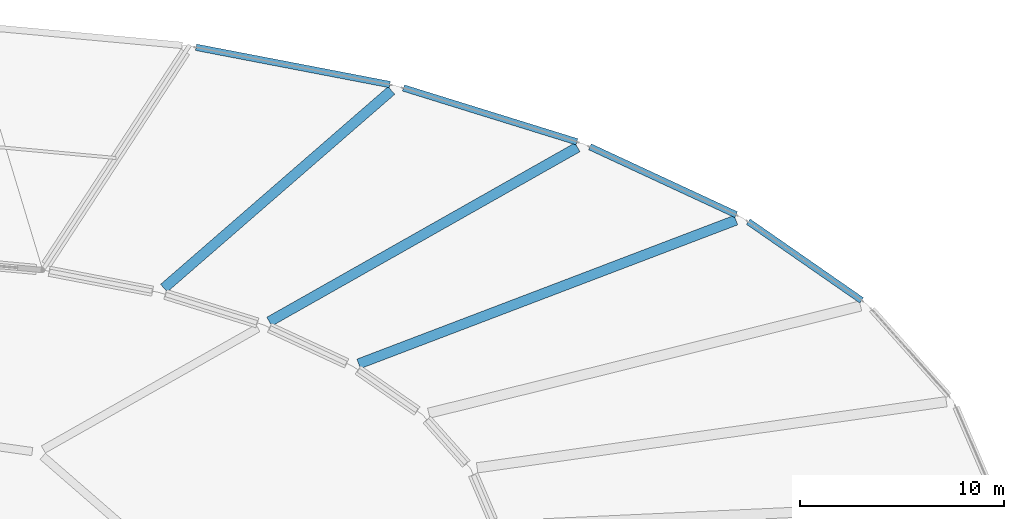
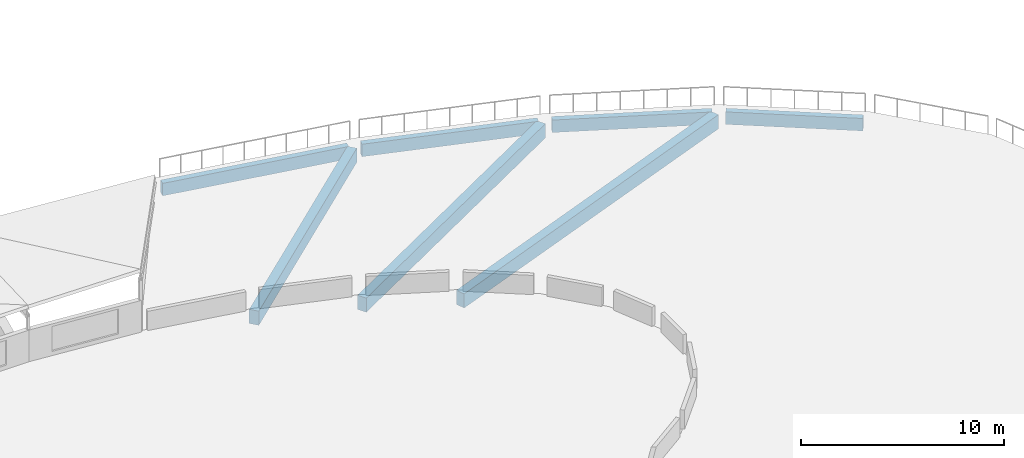
# One storey, part 72 of 142: 7 beams.
"""IFC4 building model written with IfcOpenShell, lengths in metres."""

from ifc_helpers import new_model, si_unit, direction, frame, origin, origin_2d, place, context, subcontext, project, spatial, rectangle, extrude, material, material_profile, profile_set, type_object, element, save


model = new_model("IFC4")

# Units and contexts
model_context = context("Model", 3, precision=1e-05, world=origin(), true_north=direction((0.0, 1.0)))
body_context = subcontext(model_context, "Body", "Model", "MODEL_VIEW")
ifc_project = project(units=[si_unit("LENGTHUNIT", "METRE"), si_unit("AREAUNIT", "SQUARE_METRE"), si_unit("VOLUMEUNIT", "CUBIC_METRE"), si_unit("PLANEANGLEUNIT", "RADIAN"), si_unit("MASSUNIT", "GRAM", prefix="KILO")], contexts=[model_context])

# Site, building, storey
site_placement = place(None, origin())
site = spatial("IfcSite", under=ifc_project, at=site_placement, CompositionType="ELEMENT")
building_placement = place(site_placement, origin())
building = spatial("IfcBuilding", under=site, at=building_placement, Name="Corvandel Quay Wholesale Market", CompositionType="ELEMENT")
storey_placement = place(building_placement, frame((0.0, 0.0, 10.800048828125)))
storey = spatial("IfcBuildingStorey", under=building, at=storey_placement, Name="L02", CompositionType="ELEMENT", Elevation=10.800048828125)

# Beams
ifc_material = material(Name="Precast concrete C45/55", Category="concrete")
ifc_material_profile_1 = material_profile(ifc_material, rectangle(XDim=0.5, YDim=0.85009765625, at=origin_2d()), Name="PC-GIR-500x850")
ifc_profile_set_1 = profile_set([ifc_material_profile_1], Name="Precast concrete C45/55")
beam_type_1 = type_object("IfcBeamType", Name="Fish Hall Radial Girder G04 500x850", PredefinedType="USERDEFINED", material=ifc_profile_set_1)
beam_1_placement = place(storey_placement, frame((157.175537109375, 132.451171875, -0.7451171875), z_axis=(-0.934456894514, -0.356076273142, 0.0), x_axis=(0.356076273142, -0.934456894514, 0.0)))
element("IfcBeam", 1, at=beam_1_placement, inside=storey, type_object=beam_type_1, Name="Beam BM-0549", ObjectType="GIRDER", PredefinedType="USERDEFINED", context=body_context, shape_type="SweptSolid", body=[
    extrude(rectangle(XDim=0.5, YDim=0.85009765625, at=origin_2d()), origin(), (0.0, 0.0, 1.0), 19.81640625),
])
beam_2_placement = place(storey_placement, frame((149.397705078125, 136.026123046875, -0.7451171875), z_axis=(-0.87034431954, -0.492443667281, 0.0), x_axis=(0.492443667281, -0.87034431954, 0.0)))
element("IfcBeam", 2, at=beam_2_placement, inside=storey, type_object=beam_type_1, Name="Beam BM-0556", ObjectType="GIRDER", PredefinedType="USERDEFINED", context=body_context, shape_type="SweptSolid", body=[
    extrude(rectangle(XDim=0.5, YDim=0.85009765625, at=origin_2d()), origin(), (0.0, 0.0, 1.0), 17.3818359375),
])
beam_3_placement = place(storey_placement, frame((140.265380859375, 138.814697265625, -0.7451171875), z_axis=(-0.754940447909, -0.655793351683, 0.0), x_axis=(0.655793351683, -0.754940447909, 0.0)))
element("IfcBeam", 3, at=beam_3_placement, inside=storey, type_object=beam_type_1, Name="Beam BM-0563", ObjectType="GIRDER", PredefinedType="USERDEFINED", context=body_context, shape_type="SweptSolid", body=[
    extrude(rectangle(XDim=0.5, YDim=0.85009765625, at=origin_2d()), origin(), (0.0, 0.0, 1.0), 14.794189453125),
])
ifc_material_profile_2 = material_profile(ifc_material, rectangle(XDim=0.320068359375, YDim=0.75, at=origin_2d()), Name="PC-SPN-320x750")
ifc_profile_set_2 = profile_set([ifc_material_profile_2], Name="Precast concrete C45/55")
beam_type_2 = type_object("IfcBeamType", Name="Pavilion Precast Spandrel SP02 320x750", PredefinedType="SPANDREL", material=ifc_profile_set_2)
beam_4_placement = place(storey_placement, frame((163.34375, 128.5126953125, -0.695068359375), z_axis=(-0.821255489916, 0.570560619289, 0.0), x_axis=(-0.570560619289, -0.821255489916, 0.0)))
element("IfcBeam", 4, at=beam_4_placement, inside=storey, type_object=beam_type_2, Name="Beam BM-0540", PredefinedType="SPANDREL", context=body_context, shape_type="SweptSolid", body=[
    extrude(rectangle(XDim=0.320068359375, YDim=0.75, at=origin_2d()), origin(), (0.0, 0.0, 1.0), 6.773193359375),
])
beam_5_placement = place(storey_placement, frame((157.18505859375, 132.71923828125, -0.695068359375), z_axis=(-0.906974018607, 0.421186573351, 0.0), x_axis=(-0.421186573351, -0.906974018607, 0.0)))
element("IfcBeam", 5, at=beam_5_placement, inside=storey, type_object=beam_type_2, Name="Beam BM-0547", PredefinedType="SPANDREL", context=body_context, shape_type="SweptSolid", body=[
    extrude(rectangle(XDim=0.320068359375, YDim=0.75, at=origin_2d()), origin(), (0.0, 0.0, 1.0), 7.909912109375),
])
beam_6_placement = place(storey_placement, frame((149.368408203125, 136.298095703125, -0.695068359375), z_axis=(-0.95510610539, 0.296263948949, 0.0), x_axis=(-0.296263948949, -0.95510610539, 0.0)))
element("IfcBeam", 6, at=beam_6_placement, inside=storey, type_object=beam_type_2, Name="Beam BM-0554", PredefinedType="SPANDREL", context=body_context, shape_type="SweptSolid", body=[
    extrude(rectangle(XDim=0.320068359375, YDim=0.75, at=origin_2d()), origin(), (0.0, 0.0, 1.0), 8.9130859375),
])
beam_7_placement = place(storey_placement, frame((140.187255859375, 139.106201171875, -0.695068359375), z_axis=(-0.982004829196, 0.188855805938, 0.0), x_axis=(-0.188855805938, -0.982004829196, 0.0)))
element("IfcBeam", 7, at=beam_7_placement, inside=storey, type_object=beam_type_2, Name="Beam BM-0561", PredefinedType="SPANDREL", context=body_context, shape_type="SweptSolid", body=[
    extrude(rectangle(XDim=0.320068359375, YDim=0.75, at=origin_2d()), origin(), (0.0, 0.0, 1.0), 9.687744140625),
])

save(model, "model.ifc")
